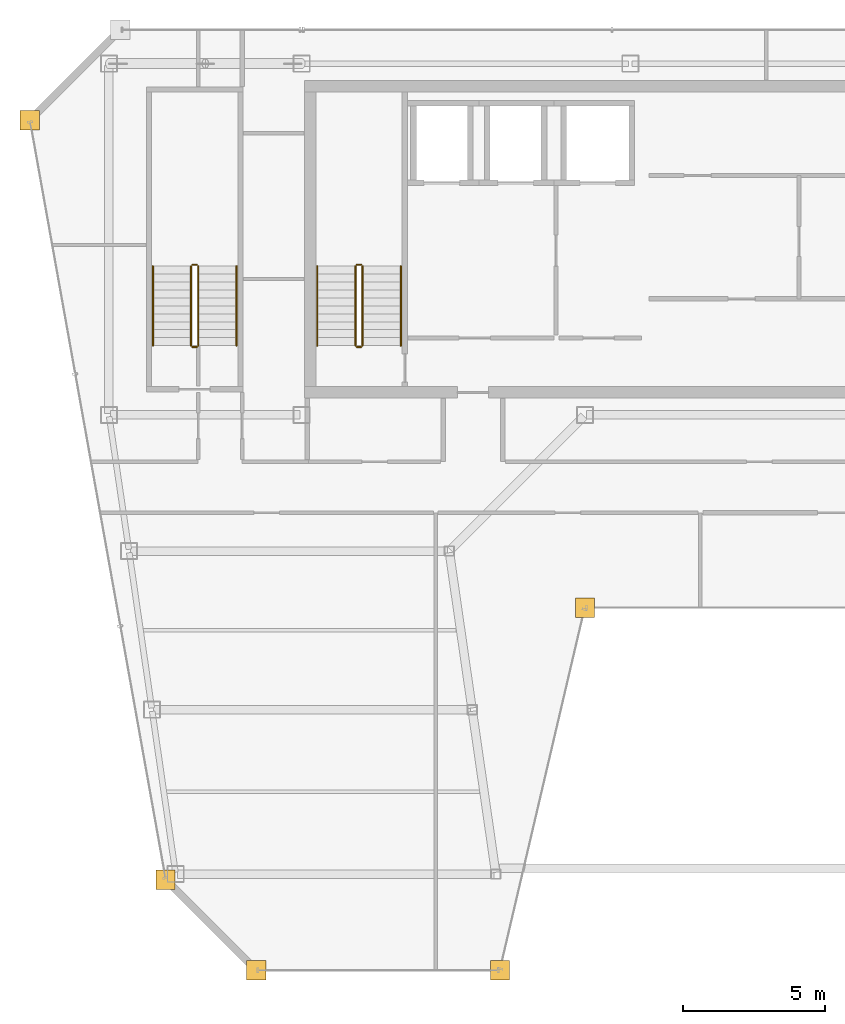
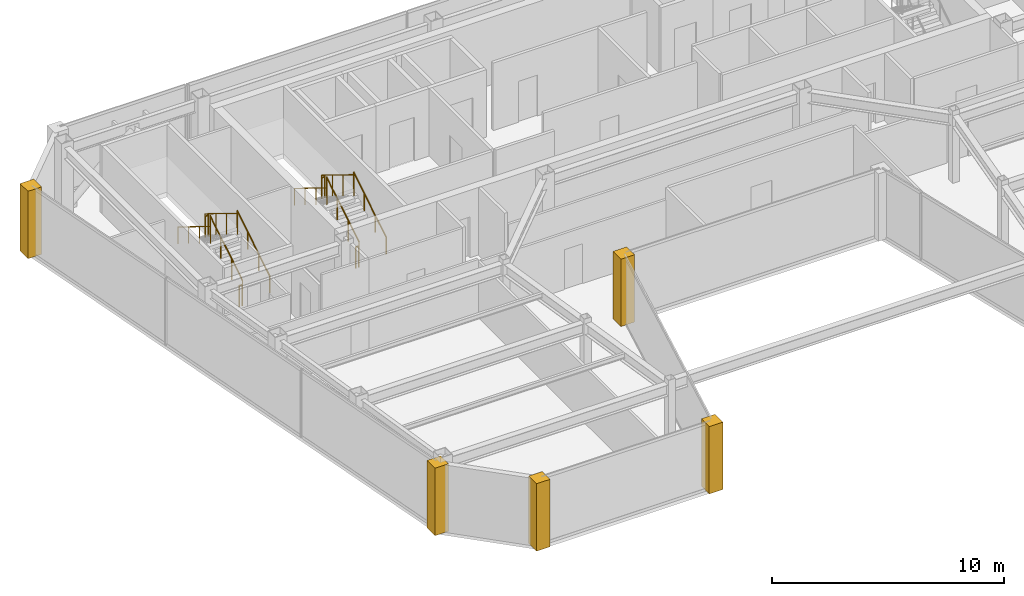
# One storey, part 30 of 32: 12 railings, 5 coverings.
"""IFC4 building model written with IfcOpenShell, lengths in metres."""

from ifc_helpers import new_model, si_unit, direction, frame, origin, origin_2d, place, context, subcontext, project, spatial, polyline, circle, outline, extrude, material, layer, layer_set, type_object, element, save


model = new_model("IFC4")

# Units and contexts
model_context = context("Model", 3, precision=1e-05, world=origin(), true_north=direction((0.0, 1.0)))
body_context = subcontext(model_context, "Body", "Model", "MODEL_VIEW")
ifc_project = project(units=[si_unit("LENGTHUNIT", "METRE"), si_unit("AREAUNIT", "SQUARE_METRE"), si_unit("VOLUMEUNIT", "CUBIC_METRE"), si_unit("PLANEANGLEUNIT", "RADIAN"), si_unit("MASSUNIT", "GRAM", prefix="KILO")], contexts=[model_context])

# Site, building, storey
site_placement = place(None, origin())
site = spatial("IfcSite", under=ifc_project, at=site_placement, CompositionType="ELEMENT")
building_placement = place(site_placement, origin())
building = spatial("IfcBuilding", under=site, at=building_placement, Name="Saevonmaru Cultural Tower", CompositionType="ELEMENT")
storey_placement = place(building_placement, frame((0.0, 0.0, 268.60009765625)))
storey = spatial("IfcBuildingStorey", under=building, at=storey_placement, Name="L63", CompositionType="ELEMENT", Elevation=268.60009765625)

# Coverings
ifc_material_1 = material(Name="Satin Bronze Anodised Aluminium", Category="aluminium")
ifc_layer = layer(ifc_material_1, 0.679931640625, Name="Satin Bronze Anodised Aluminium")
ifc_layer_set = layer_set([ifc_layer], Name="Satin Bronze Anodised Aluminium")
covering_type = type_object("IfcCoveringType", Name="CV-CORNER-CLAD", PredefinedType="CLADDING", material=ifc_layer_set)
covering_1_placement = place(storey_placement, origin())
element("IfcCovering", 1, at=covering_1_placement, inside=storey, type_object=covering_type, Name="L63 Tower Bronze Corner Cladding Pier 1", PredefinedType="CLADDING", context=body_context, shape_type="SweptSolid", body=[
    extrude(outline(polyline([(8.4560546875, 25.659912109375), (9.135986328125, 25.659912109375), (9.135986328125, 26.340087890625), (8.4560546875, 26.340087890625), (8.4560546875, 25.659912109375)])), origin(), (0.0, 0.0, 1.0), 3.5498046875),
])
covering_2_placement = place(storey_placement, origin())
element("IfcCovering", 2, at=covering_2_placement, inside=storey, type_object=covering_type, Name="L63 Tower Bronze Corner Cladding Pier 2", PredefinedType="CLADDING", context=body_context, shape_type="SweptSolid", body=[
    extrude(outline(polyline([(11.656005859375, 22.4599609375), (12.3359375, 22.4599609375), (12.3359375, 23.139892578125), (11.656005859375, 23.139892578125), (11.656005859375, 22.4599609375)])), origin(), (0.0, 0.0, 1.0), 3.5498046875),
])
covering_3_placement = place(storey_placement, origin())
element("IfcCovering", 3, at=covering_3_placement, inside=storey, type_object=covering_type, Name="L63 Tower Bronze Corner Cladding Pier 3", PredefinedType="CLADDING", context=body_context, shape_type="SweptSolid", body=[
    extrude(outline(polyline([(20.256103515625, 22.4599609375), (20.93603515625, 22.4599609375), (20.93603515625, 23.139892578125), (20.256103515625, 23.139892578125), (20.256103515625, 22.4599609375)])), origin(), (0.0, 0.0, 1.0), 3.5498046875),
])
covering_4_placement = place(storey_placement, origin())
element("IfcCovering", 4, at=covering_4_placement, inside=storey, type_object=covering_type, Name="L63 Tower Bronze Corner Cladding Pier 4", PredefinedType="CLADDING", context=body_context, shape_type="SweptSolid", body=[
    extrude(outline(polyline([(23.256103515625, 35.260009765625), (23.93603515625, 35.260009765625), (23.93603515625, 35.93994140625), (23.256103515625, 35.93994140625), (23.256103515625, 35.260009765625)])), origin(), (0.0, 0.0, 1.0), 3.5498046875),
])
covering_5_placement = place(storey_placement, origin())
element("IfcCovering", 5, at=covering_5_placement, inside=storey, type_object=covering_type, Name="L63 Tower Bronze Corner Cladding Pier 12", PredefinedType="CLADDING", context=body_context, shape_type="SweptSolid", body=[
    extrude(outline(polyline([(3.659912109375, 52.4599609375), (4.340087890625, 52.4599609375), (4.340087890625, 53.139892578125), (3.659912109375, 53.139892578125), (3.659912109375, 52.4599609375)])), origin(), (0.0, 0.0, 1.0), 3.5498046875),
])

# Railings
ifc_material_2 = material(Name="Architectural Painted Steel", Category="steel")
railing_type_1 = type_object("IfcRailingType", Name="RL-STAIR-GUARD", PredefinedType="GUARDRAIL", material=ifc_material_2)
railing_1_placement = place(storey_placement, frame((15.75, 44.85009765625, 0.172607421875)))
element("IfcRailing", 6, at=railing_1_placement, inside=storey, type_object=railing_type_1, Name="L63 ST-1 stair guard 1", PredefinedType="GUARDRAIL", context=body_context, shape_type="SweptSolid", body=[
    extrude(circle(Radius=0.02392578125, at=origin_2d()), frame((0.0, 0.0, 1.09619140625), z_axis=(0.0, 0.851069175582, 0.525053576669), x_axis=(-1.0, 0.0, 0.0)), (0.0, 0.0, 1.0), 3.289794921875),
    extrude(circle(Radius=0.02099609375, at=origin_2d()), origin(), (0.0, 0.0, 1.0), 1.072021484375),
    extrude(circle(Radius=0.02099609375, at=origin_2d()), frame((0.0, 0.933349609375, 0.57568359375)), (0.0, 0.0, 1.0), 1.072021484375),
    extrude(circle(Radius=0.02099609375, at=origin_2d()), frame((0.0, 1.866455078125, 1.151611328125)), (0.0, 0.0, 1.0), 1.072021484375),
    extrude(circle(Radius=0.02099609375, at=origin_2d()), frame((0.0, 2.7998046875, 1.727294921875)), (0.0, 0.0, 1.0), 1.072021484375),
])
railing_2_placement = place(storey_placement, frame((15.699951171875, 47.699951171875, 1.89990234375)))
element("IfcRailing", 7, at=railing_2_placement, inside=storey, type_object=railing_type_1, Name="L63 ST-1 stair guard 2", PredefinedType="GUARDRAIL", context=body_context, shape_type="SweptSolid", body=[
    extrude(circle(Radius=0.02392578125, at=origin_2d()), frame((0.0, 0.0, 1.09619140625), z_axis=(-1.0, 0.0, 0.0), x_axis=(0.0, -1.0, 0.0)), (0.0, 0.0, 1.0), 0.14990234375),
    extrude(circle(Radius=0.02099609375, at=origin_2d()), origin(), (0.0, 0.0, 1.0), 1.072021484375),
    extrude(circle(Radius=0.02099609375, at=origin_2d()), frame((-0.14990234375, 0.0, 0.0)), (0.0, 0.0, 1.0), 1.072021484375),
])
railing_3_placement = place(storey_placement, frame((15.5, 47.64990234375, 2.072509765625)))
element("IfcRailing", 8, at=railing_3_placement, inside=storey, type_object=railing_type_1, Name="L63 ST-1 stair guard 3", PredefinedType="GUARDRAIL", context=body_context, shape_type="SweptSolid", body=[
    extrude(circle(Radius=0.02392578125, at=origin_2d()), frame((0.0, 0.0, 1.09619140625), z_axis=(0.0, -0.851069175582, 0.525053576669), x_axis=(1.0, 0.0, 0.0)), (0.0, 0.0, 1.0), 3.289794921875),
    extrude(circle(Radius=0.02099609375, at=origin_2d()), origin(), (0.0, 0.0, 1.0), 1.072021484375),
    extrude(circle(Radius=0.02099609375, at=origin_2d()), frame((0.0, -0.933349609375, 0.57568359375)), (0.0, 0.0, 1.0), 1.072021484375),
    extrude(circle(Radius=0.02099609375, at=origin_2d()), frame((0.0, -1.866455078125, 1.151611328125)), (0.0, 0.0, 1.0), 1.072021484375),
    extrude(circle(Radius=0.02099609375, at=origin_2d()), frame((0.0, -2.7998046875, 1.727294921875)), (0.0, 0.0, 1.0), 1.072021484375),
])
railing_4_placement = place(storey_placement, frame((15.699951171875, 44.800048828125, 0.0)))
element("IfcRailing", 9, at=railing_4_placement, inside=storey, type_object=railing_type_1, Name="L63 ST-1 stair guard 4", PredefinedType="GUARDRAIL", context=body_context, shape_type="SweptSolid", body=[
    extrude(circle(Radius=0.02392578125, at=origin_2d()), frame((0.0, 0.0, 1.09619140625), z_axis=(-1.0, 0.0, 0.0), x_axis=(0.0, -1.0, 0.0)), (0.0, 0.0, 1.0), 0.14990234375),
    extrude(circle(Radius=0.02099609375, at=origin_2d()), origin(), (0.0, 0.0, 1.0), 1.072021484375),
    extrude(circle(Radius=0.02099609375, at=origin_2d()), frame((-0.14990234375, 0.0, 0.0)), (0.0, 0.0, 1.0), 1.072021484375),
])
railing_5_placement = place(storey_placement, frame((9.949951171875, 44.85009765625, 0.172607421875)))
element("IfcRailing", 10, at=railing_5_placement, inside=storey, type_object=railing_type_1, Name="L63 ST-3 stair guard 1", PredefinedType="GUARDRAIL", context=body_context, shape_type="SweptSolid", body=[
    extrude(circle(Radius=0.02392578125, at=origin_2d()), frame((0.0, 0.0, 1.09619140625), z_axis=(0.0, 0.851069175582, 0.525053576669), x_axis=(-1.0, 0.0, 0.0)), (0.0, 0.0, 1.0), 3.289794921875),
    extrude(circle(Radius=0.02099609375, at=origin_2d()), origin(), (0.0, 0.0, 1.0), 1.072021484375),
    extrude(circle(Radius=0.02099609375, at=origin_2d()), frame((0.0, 0.933349609375, 0.57568359375)), (0.0, 0.0, 1.0), 1.072021484375),
    extrude(circle(Radius=0.02099609375, at=origin_2d()), frame((0.0, 1.866455078125, 1.151611328125)), (0.0, 0.0, 1.0), 1.072021484375),
    extrude(circle(Radius=0.02099609375, at=origin_2d()), frame((0.0, 2.7998046875, 1.727294921875)), (0.0, 0.0, 1.0), 1.072021484375),
])
railing_6_placement = place(storey_placement, frame((9.89990234375, 47.699951171875, 1.89990234375)))
element("IfcRailing", 11, at=railing_6_placement, inside=storey, type_object=railing_type_1, Name="L63 ST-3 stair guard 2", PredefinedType="GUARDRAIL", context=body_context, shape_type="SweptSolid", body=[
    extrude(circle(Radius=0.02392578125, at=origin_2d()), frame((0.0, 0.0, 1.09619140625), z_axis=(-1.0, 0.0, 0.0), x_axis=(0.0, -1.0, 0.0)), (0.0, 0.0, 1.0), 0.14990234375),
    extrude(circle(Radius=0.02099609375, at=origin_2d()), origin(), (0.0, 0.0, 1.0), 1.072021484375),
    extrude(circle(Radius=0.02099609375, at=origin_2d()), frame((-0.14990234375, 0.0, 0.0)), (0.0, 0.0, 1.0), 1.072021484375),
])
railing_7_placement = place(storey_placement, frame((9.699951171875, 47.64990234375, 2.072509765625)))
element("IfcRailing", 12, at=railing_7_placement, inside=storey, type_object=railing_type_1, Name="L63 ST-3 stair guard 3", PredefinedType="GUARDRAIL", context=body_context, shape_type="SweptSolid", body=[
    extrude(circle(Radius=0.02392578125, at=origin_2d()), frame((0.0, 0.0, 1.09619140625), z_axis=(0.0, -0.851069175582, 0.525053576669), x_axis=(1.0, 0.0, 0.0)), (0.0, 0.0, 1.0), 3.289794921875),
    extrude(circle(Radius=0.02099609375, at=origin_2d()), origin(), (0.0, 0.0, 1.0), 1.072021484375),
    extrude(circle(Radius=0.02099609375, at=origin_2d()), frame((0.0, -0.933349609375, 0.57568359375)), (0.0, 0.0, 1.0), 1.072021484375),
    extrude(circle(Radius=0.02099609375, at=origin_2d()), frame((0.0, -1.866455078125, 1.151611328125)), (0.0, 0.0, 1.0), 1.072021484375),
    extrude(circle(Radius=0.02099609375, at=origin_2d()), frame((0.0, -2.7998046875, 1.727294921875)), (0.0, 0.0, 1.0), 1.072021484375),
])
railing_8_placement = place(storey_placement, frame((9.89990234375, 44.800048828125, 0.0)))
element("IfcRailing", 13, at=railing_8_placement, inside=storey, type_object=railing_type_1, Name="L63 ST-3 stair guard 4", PredefinedType="GUARDRAIL", context=body_context, shape_type="SweptSolid", body=[
    extrude(circle(Radius=0.02392578125, at=origin_2d()), frame((0.0, 0.0, 1.09619140625), z_axis=(-1.0, 0.0, 0.0), x_axis=(0.0, -1.0, 0.0)), (0.0, 0.0, 1.0), 0.14990234375),
    extrude(circle(Radius=0.02099609375, at=origin_2d()), origin(), (0.0, 0.0, 1.0), 1.072021484375),
    extrude(circle(Radius=0.02099609375, at=origin_2d()), frame((-0.14990234375, 0.0, 0.0)), (0.0, 0.0, 1.0), 1.072021484375),
])
railing_type_2 = type_object("IfcRailingType", Name="RL-STAIR-HANDRAIL", PredefinedType="HANDRAIL", material=ifc_material_1)
railing_9_placement = place(storey_placement, frame((17.10009765625, 44.85009765625, 0.172607421875)))
element("IfcRailing", 14, at=railing_9_placement, inside=storey, type_object=railing_type_2, Name="L63 ST-1 stair handrail 1", PredefinedType="HANDRAIL", context=body_context, shape_type="SweptSolid", body=[
    extrude(circle(Radius=0.02392578125, at=origin_2d()), frame((0.0, 0.0, 0.8759765625), z_axis=(0.0, 0.851069175582, 0.525053576669), x_axis=(-1.0, 0.0, 0.0)), (0.0, 0.0, 1.0), 3.289794921875),
    extrude(circle(Radius=0.02099609375, at=origin_2d()), origin(), (0.0, 0.0, 1.0), 0.851806640625),
    extrude(circle(Radius=0.02099609375, at=origin_2d()), frame((0.0, 0.933349609375, 0.57568359375)), (0.0, 0.0, 1.0), 0.851806640625),
    extrude(circle(Radius=0.02099609375, at=origin_2d()), frame((0.0, 1.866455078125, 1.151611328125)), (0.0, 0.0, 1.0), 0.851806640625),
    extrude(circle(Radius=0.02099609375, at=origin_2d()), frame((0.0, 2.7998046875, 1.727294921875)), (0.0, 0.0, 1.0), 0.851806640625),
])
railing_10_placement = place(storey_placement, frame((14.14990234375, 47.64990234375, 2.072509765625)))
element("IfcRailing", 15, at=railing_10_placement, inside=storey, type_object=railing_type_2, Name="L63 ST-1 stair handrail 2", PredefinedType="HANDRAIL", context=body_context, shape_type="SweptSolid", body=[
    extrude(circle(Radius=0.02392578125, at=origin_2d()), frame((0.0, 0.0, 0.8759765625), z_axis=(0.0, -0.851069175582, 0.525053576669), x_axis=(1.0, 0.0, 0.0)), (0.0, 0.0, 1.0), 3.289794921875),
    extrude(circle(Radius=0.02099609375, at=origin_2d()), origin(), (0.0, 0.0, 1.0), 0.851806640625),
    extrude(circle(Radius=0.02099609375, at=origin_2d()), frame((0.0, -0.933349609375, 0.57568359375)), (0.0, 0.0, 1.0), 0.851806640625),
    extrude(circle(Radius=0.02099609375, at=origin_2d()), frame((0.0, -1.866455078125, 1.151611328125)), (0.0, 0.0, 1.0), 0.851806640625),
    extrude(circle(Radius=0.02099609375, at=origin_2d()), frame((0.0, -2.7998046875, 1.727294921875)), (0.0, 0.0, 1.0), 0.851806640625),
])
railing_11_placement = place(storey_placement, frame((11.300048828125, 44.85009765625, 0.172607421875)))
element("IfcRailing", 16, at=railing_11_placement, inside=storey, type_object=railing_type_2, Name="L63 ST-3 stair handrail 1", PredefinedType="HANDRAIL", context=body_context, shape_type="SweptSolid", body=[
    extrude(circle(Radius=0.02392578125, at=origin_2d()), frame((0.0, 0.0, 0.8759765625), z_axis=(0.0, 0.851069175582, 0.525053576669), x_axis=(-1.0, 0.0, 0.0)), (0.0, 0.0, 1.0), 3.289794921875),
    extrude(circle(Radius=0.02099609375, at=origin_2d()), origin(), (0.0, 0.0, 1.0), 0.851806640625),
    extrude(circle(Radius=0.02099609375, at=origin_2d()), frame((0.0, 0.933349609375, 0.57568359375)), (0.0, 0.0, 1.0), 0.851806640625),
    extrude(circle(Radius=0.02099609375, at=origin_2d()), frame((0.0, 1.866455078125, 1.151611328125)), (0.0, 0.0, 1.0), 0.851806640625),
    extrude(circle(Radius=0.02099609375, at=origin_2d()), frame((0.0, 2.7998046875, 1.727294921875)), (0.0, 0.0, 1.0), 0.851806640625),
])
railing_12_placement = place(storey_placement, frame((8.35009765625, 47.64990234375, 2.072509765625)))
element("IfcRailing", 17, at=railing_12_placement, inside=storey, type_object=railing_type_2, Name="L63 ST-3 stair handrail 2", PredefinedType="HANDRAIL", context=body_context, shape_type="SweptSolid", body=[
    extrude(circle(Radius=0.02392578125, at=origin_2d()), frame((0.0, 0.0, 0.8759765625), z_axis=(0.0, -0.851069175582, 0.525053576669), x_axis=(1.0, 0.0, 0.0)), (0.0, 0.0, 1.0), 3.289794921875),
    extrude(circle(Radius=0.02099609375, at=origin_2d()), origin(), (0.0, 0.0, 1.0), 0.851806640625),
    extrude(circle(Radius=0.02099609375, at=origin_2d()), frame((0.0, -0.933349609375, 0.57568359375)), (0.0, 0.0, 1.0), 0.851806640625),
    extrude(circle(Radius=0.02099609375, at=origin_2d()), frame((0.0, -1.866455078125, 1.151611328125)), (0.0, 0.0, 1.0), 0.851806640625),
    extrude(circle(Radius=0.02099609375, at=origin_2d()), frame((0.0, -2.7998046875, 1.727294921875)), (0.0, 0.0, 1.0), 0.851806640625),
])

save(model, "model.ifc")
